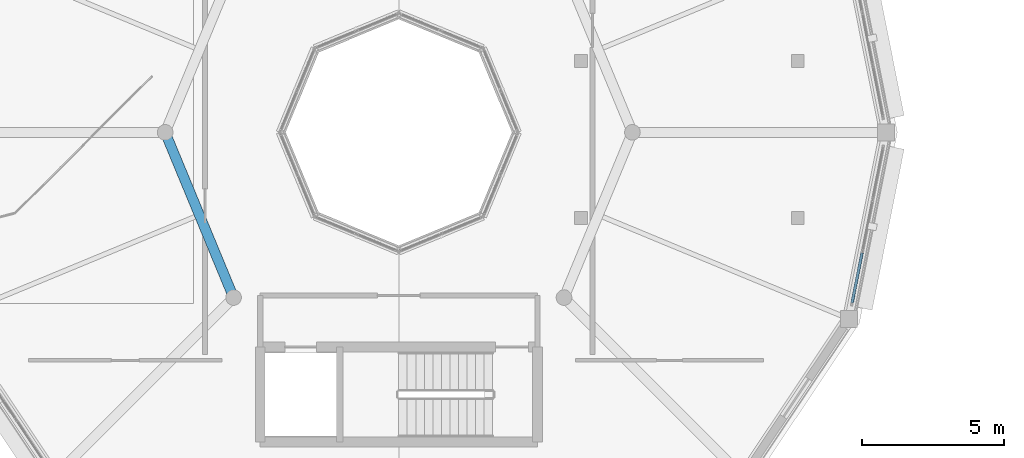
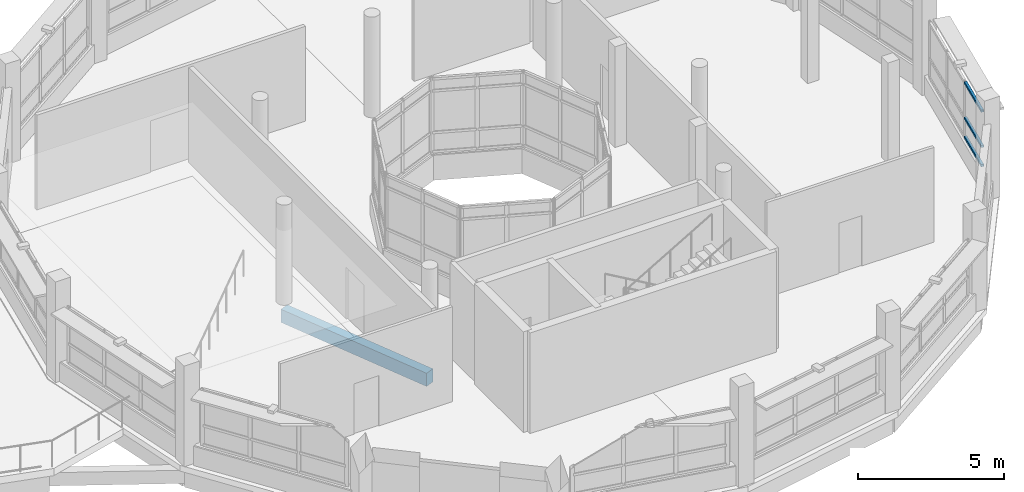
# One storey, part 78 of 128: 3 members, 1 beam, 1 element without a shape of its own.
"""IFC4 building model written with IfcOpenShell, lengths in metres."""

from ifc_helpers import new_model, si_unit, direction, frame, origin, origin_2d, place, context, subcontext, project, spatial, rectangle, hollow_rectangle, extrude, material, layer, layer_set, material_profile, profile_set, type_object, element, aggregate, save


model = new_model("IFC4")

# Units and contexts
model_context = context("Model", 3, precision=1e-05, world=origin(), true_north=direction((0.0, 1.0)))
body_context = subcontext(model_context, "Body", "Model", "MODEL_VIEW")
ifc_project = project(units=[si_unit("LENGTHUNIT", "METRE"), si_unit("AREAUNIT", "SQUARE_METRE"), si_unit("VOLUMEUNIT", "CUBIC_METRE"), si_unit("PLANEANGLEUNIT", "RADIAN"), si_unit("MASSUNIT", "GRAM", prefix="KILO")], contexts=[model_context])

# Site, building, storey
site_placement = place(None, origin())
site = spatial("IfcSite", under=ifc_project, at=site_placement, CompositionType="ELEMENT")
building_placement = place(site_placement, origin())
building = spatial("IfcBuilding", under=site, at=building_placement, Name="Vespera Passage Community Centre", CompositionType="ELEMENT")
storey_placement = place(building_placement, frame((0.0, 0.0, 4.5)))
storey = spatial("IfcBuildingStorey", under=building, at=storey_placement, Name="L01", CompositionType="ELEMENT", Elevation=4.5)

# Beam
ifc_material_1 = material(Name="Concrete f'c 35 MPa", Category="concrete")
ifc_material_profile_1 = material_profile(ifc_material_1, rectangle(XDim=0.35009765625, YDim=0.550048828125, at=origin_2d()), Name="RC350X550")
ifc_profile_set_1 = profile_set([ifc_material_profile_1], Name="Concrete f'c 35 MPa")
beam_type = type_object("IfcBeamType", Name="BM-J-350X550", PredefinedType="JOIST", material=ifc_profile_set_1)
beam_placement = place(storey_placement, frame((132.800048828125, 25.0, -0.514892578125), z_axis=(0.382664436252, -0.92388740073, 0.0), x_axis=(0.92388740073, 0.382664436252, 0.0)))
element("IfcBeam", 1, at=beam_placement, inside=storey, type_object=beam_type, Name="V3 L01 Inner Ring Beam 5", PredefinedType="JOIST", context=body_context, shape_type="SweptSolid", body=[
    extrude(rectangle(XDim=0.35009765625, YDim=0.550048828125, at=origin_2d()), origin(), (0.0, 0.0, 1.0), 6.276123046875),
])

# Curtain wall, members
ifc_material_2 = material(Name="Anodized aluminium 6063-T6", Category="aluminium")
ifc_layer = layer(ifc_material_2, 0.159912109375)
ifc_layer_set = layer_set([ifc_layer], Name="Anodized aluminium 6063-T6")
curtain_wall_type = type_object("IfcCurtainWallType", Name="CW-105E", PredefinedType="NOTDEFINED", material=ifc_layer_set)
curtain_wall_placement = place(storey_placement, origin())
curtain_wall = element("IfcCurtainWall", 2, at=curtain_wall_placement, inside=storey, type_object=curtain_wall_type, Name="Dining Drum Ribbon Curtain Wall L01.16", PredefinedType="NOTDEFINED")
ifc_material_3 = material(Name="Anodized aluminium 6063-T6", Category="aluminium")
ifc_material_profile_2 = material_profile(ifc_material_3, hollow_rectangle(XDim=0.10009765625, YDim=0.10009765625, WallThickness=0.00390625, InnerFilletRadius=0.001953125, OuterFilletRadius=0.00390625, at=origin_2d()), Name="ALU100X100X4")
ifc_profile_set_2 = profile_set([ifc_material_profile_2], Name="Anodized aluminium 6063-T6")
member_type = type_object("IfcMemberType", Name="MB-CWT-100E", PredefinedType="USERDEFINED", material=ifc_profile_set_2)
member_1_placement = place(storey_placement, frame((157.2587890625, 20.77099609375, 0.85009765625), z_axis=(-0.195118922523, -0.980779590975, 0.0), x_axis=(0.980779590975, -0.195118922523, 0.0)))
member_1 = element("IfcMember", 3, at=member_1_placement, type_object=member_type, Name="CW-105E transom 3.1", ObjectType="TRANSOM", PredefinedType="USERDEFINED", context=body_context, shape_type="SweptSolid", body=[
    extrude(hollow_rectangle(XDim=0.10009765625, YDim=0.10009765625, WallThickness=0.00390625, InnerFilletRadius=0.001953125, OuterFilletRadius=0.00390625, at=origin_2d()), origin(), (0.0, 0.0, 1.0), 1.789306640625),
])
member_2_placement = place(storey_placement, frame((157.2587890625, 20.77099609375, 1.64990234375), z_axis=(-0.195118922523, -0.980779590975, 0.0), x_axis=(0.980779590975, -0.195118922523, 0.0)))
member_2 = element("IfcMember", 4, at=member_2_placement, type_object=member_type, Name="CW-105E transom 3.2", ObjectType="TRANSOM", PredefinedType="USERDEFINED", context=body_context, shape_type="SweptSolid", body=[
    extrude(hollow_rectangle(XDim=0.10009765625, YDim=0.10009765625, WallThickness=0.00390625, InnerFilletRadius=0.001953125, OuterFilletRadius=0.00390625, at=origin_2d()), origin(), (0.0, 0.0, 1.0), 1.789306640625),
])
member_3_placement = place(storey_placement, frame((157.2587890625, 20.77099609375, 3.125), z_axis=(-0.195118922523, -0.980779590975, 0.0), x_axis=(0.980779590975, -0.195118922523, 0.0)))
member_3 = element("IfcMember", 5, at=member_3_placement, type_object=member_type, Name="CW-105E transom 3.3", ObjectType="TRANSOM", PredefinedType="USERDEFINED", context=body_context, shape_type="SweptSolid", body=[
    extrude(hollow_rectangle(XDim=0.10009765625, YDim=0.10009765625, WallThickness=0.00390625, InnerFilletRadius=0.001953125, OuterFilletRadius=0.00390625, at=origin_2d()), origin(), (0.0, 0.0, 1.0), 1.789306640625),
])
aggregate(curtain_wall, [member_1, member_2, member_3])

save(model, "model.ifc")
